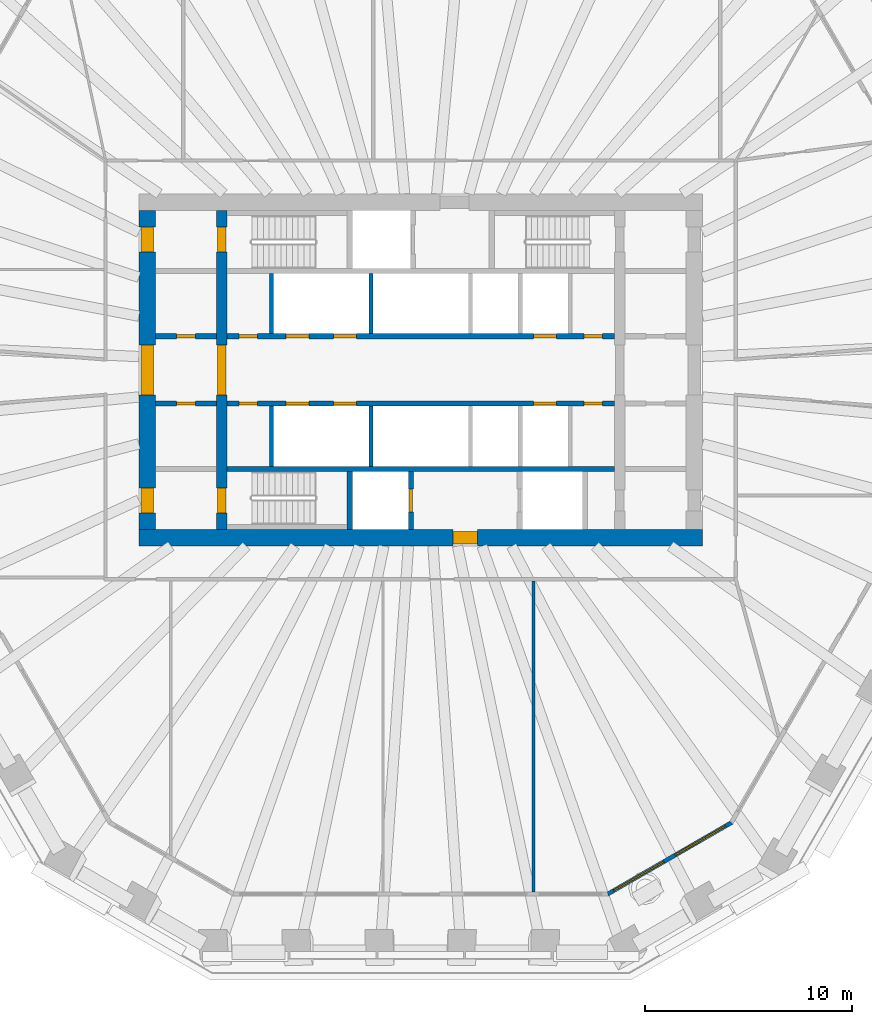
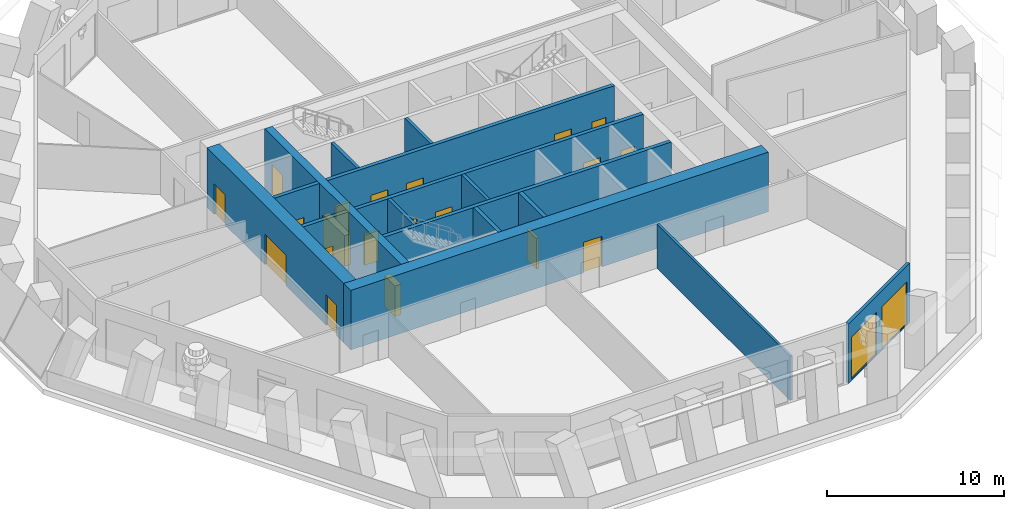
# One storey, part 4 of 12: 20 doors, 16 walls, 2 windows, 22 openings.
"""IFC4 building model written with IfcOpenShell, lengths in metres."""

from ifc_helpers import new_model, si_unit, direction, frame, frame_2d, origin, place, context, subcontext, project, spatial, polyline, rectangle, outline, extrude, material, layer, layer_set, type_object, element, fill, save


model = new_model("IFC4")

# Units and contexts
model_context = context("Model", 3, precision=1e-05, world=origin(), true_north=direction((0.0, 1.0)))
body_context = subcontext(model_context, "Body", "Model", "MODEL_VIEW")
ifc_project = project(units=[si_unit("LENGTHUNIT", "METRE"), si_unit("AREAUNIT", "SQUARE_METRE"), si_unit("VOLUMEUNIT", "CUBIC_METRE"), si_unit("PLANEANGLEUNIT", "RADIAN"), si_unit("MASSUNIT", "GRAM", prefix="KILO")], contexts=[model_context])

# Site, building, storey
site_placement = place(None, origin())
site = spatial("IfcSite", under=ifc_project, at=site_placement, CompositionType="ELEMENT")
building_placement = place(site_placement, origin())
building = spatial("IfcBuilding", under=site, at=building_placement, Name="Frailejon Research Tower", CompositionType="ELEMENT")
storey_placement = place(building_placement, frame((0.0, 0.0, 135.199951171875)))
storey = spatial("IfcBuildingStorey", under=building, at=storey_placement, Name="L29", CompositionType="ELEMENT", Elevation=135.199951171875)

# Wall, openings, doors
ifc_material_1 = material(Name="Concrete C60/75", Category="concrete")
ifc_layer_1 = layer(ifc_material_1, 0.5)
ifc_layer_set_1 = layer_set([ifc_layer_1], Name="Core shear wall 500 C60/75")
wall_type_1 = type_object("IfcWallType", Name="Core shear wall 500 C60/75", PredefinedType="SHEAR", material=ifc_layer_set_1)
wall_1_placement = place(storey_placement, frame((-9.60009765625, -7.699951171875, 0.0), z_axis=(0.0, 0.0, 1.0), x_axis=(0.0, 1.0, 0.0)))
wall_1 = element("IfcWall", 1, at=wall_1_placement, inside=storey, type_object=wall_type_1, Name="Core shear wall", PredefinedType="SHEAR", context=body_context, shape_type="SweptSolid", body=[
    extrude(rectangle(XDim=15.39990234375, YDim=0.5, at=frame_2d((7.699951171875, 0.0))), origin(), (0.0, 0.0, 1.0), 4.10009765625),
])
opening_1_placement = place(wall_1_placement, frame((6.5, 0.0, 0.0)))
opening_1 = element("IfcOpeningElement", 2, at=opening_1_placement, cuts=wall_1, Name="Opening D2", PredefinedType="OPENING", context=body_context, shape_type="SweptSolid", body=[
    extrude(rectangle(XDim=2.39990234375, YDim=2.10009765625, at=frame_2d((1.199951171875, 1.050048828125))), frame((0.0, 0.260009765625, 0.0), z_axis=(0.0, -1.0, 0.0), x_axis=(1.0, 0.0, 0.0)), (0.0, 0.0, 1.0), 0.52001953125),
])
opening_2_placement = place(wall_1_placement, frame((13.39990234375, 0.0, 0.0)))
opening_2 = element("IfcOpeningElement", 3, at=opening_2_placement, cuts=wall_1, Name="Opening D1", PredefinedType="OPENING", context=body_context, shape_type="SweptSolid", body=[
    extrude(rectangle(XDim=1.199951171875, YDim=2.10009765625, at=frame_2d((0.60009765625, 1.050048828125))), frame((0.0, 0.260009765625, 0.0), z_axis=(0.0, -1.0, 0.0), x_axis=(1.0, 0.0, 0.0)), (0.0, 0.0, 1.0), 0.52001953125),
])
opening_3_placement = place(wall_1_placement, frame((0.800048828125, 0.0, 0.0)))
opening_3 = element("IfcOpeningElement", 4, at=opening_3_placement, cuts=wall_1, Name="Opening D1", PredefinedType="OPENING", context=body_context, shape_type="SweptSolid", body=[
    extrude(rectangle(XDim=1.199951171875, YDim=2.10009765625, at=frame_2d((0.60009765625, 1.050048828125))), frame((0.0, 0.260009765625, 0.0), z_axis=(0.0, -1.0, 0.0), x_axis=(1.0, 0.0, 0.0)), (0.0, 0.0, 1.0), 0.52001953125),
])
ifc_material_2 = material(Name="Steel", Category="steel")
door_type_1 = type_object("IfcDoorType", Name="Lobby double door", OperationType="DOUBLE_DOOR_SINGLE_SWING", PredefinedType="DOOR", material=ifc_material_2)
door_1_placement = place(opening_1_placement, origin())
door_1 = element("IfcDoor", 5, at=door_1_placement, inside=storey, type_object=door_type_1, Name="Lobby door", OperationType="DOUBLE_DOOR_SINGLE_SWING", OverallHeight=2.10009765625, OverallWidth=2.39990234375, PredefinedType="DOOR", context=body_context, shape_type="SweptSolid", body=[
    extrude(rectangle(XDim=2.39990234375, YDim=2.10009765625, at=frame_2d((1.199951171875, 1.050048828125))), frame((0.0, 0.199951171875, 0.0), z_axis=(0.0, -1.0, 0.0), x_axis=(1.0, 0.0, 0.0)), (0.0, 0.0, 1.0), 0.39990234375),
])
fill(opening_1, door_1)
ifc_material_3 = material(Name="Steel", Category="steel")
door_type_2 = type_object("IfcDoorType", Name="Stair door", OperationType="SINGLE_SWING_LEFT", PredefinedType="DOOR", material=ifc_material_3)
door_2_placement = place(opening_2_placement, origin())
door_2 = element("IfcDoor", 6, at=door_2_placement, inside=storey, type_object=door_type_2, Name="Stair door ST1", OperationType="SINGLE_SWING_RIGHT", OverallHeight=2.10009765625, OverallWidth=1.199951171875, PredefinedType="DOOR", context=body_context, shape_type="SweptSolid", body=[
    extrude(rectangle(XDim=1.199951171875, YDim=2.10009765625, at=frame_2d((0.60009765625, 1.050048828125))), frame((0.0, 0.199951171875, 0.0), z_axis=(0.0, -1.0, 0.0), x_axis=(1.0, 0.0, 0.0)), (0.0, 0.0, 1.0), 0.39990234375),
])
fill(opening_2, door_2)
door_3_placement = place(opening_3_placement, origin())
door_3 = element("IfcDoor", 7, at=door_3_placement, inside=storey, type_object=door_type_2, Name="Stair door ST2", OperationType="SINGLE_SWING_RIGHT", OverallHeight=2.10009765625, OverallWidth=1.199951171875, PredefinedType="DOOR", context=body_context, shape_type="SweptSolid", body=[
    extrude(rectangle(XDim=1.199951171875, YDim=2.10009765625, at=frame_2d((0.60009765625, 1.050048828125))), frame((0.0, 0.199951171875, 0.0), z_axis=(0.0, -1.0, 0.0), x_axis=(1.0, 0.0, 0.0)), (0.0, 0.0, 1.0), 0.39990234375),
])
fill(opening_3, door_3)

# Wall, opening, door
ifc_material_4 = material(Name="Concrete C60/75", Category="concrete")
ifc_layer_2 = layer(ifc_material_4, 0.800048828125)
ifc_layer_set_2 = layer_set([ifc_layer_2], Name="Core shear wall 800 C60/75")
wall_type_2 = type_object("IfcWallType", Name="Core shear wall 800 C60/75", PredefinedType="SHEAR", material=ifc_layer_set_2)
wall_2_placement = place(storey_placement, frame((-13.60009765625, -8.10009765625, 0.0), z_axis=(0.0, 0.0, 1.0), x_axis=(1.0, 0.0, 0.0)))
wall_2 = element("IfcWall", 8, at=wall_2_placement, inside=storey, type_object=wall_type_2, Name="Core shear wall", PredefinedType="SHEAR", context=body_context, shape_type="SweptSolid", body=[
    extrude(rectangle(XDim=27.2001953125, YDim=0.800048828125, at=frame_2d((13.60009765625, 0.0))), origin(), (0.0, 0.0, 1.0), 4.10009765625),
])
opening_4_placement = place(wall_2_placement, frame((15.14990234375, 0.0, 0.0)))
opening_4 = element("IfcOpeningElement", 9, at=opening_4_placement, cuts=wall_2, Name="Opening D3", PredefinedType="OPENING", context=body_context, shape_type="SweptSolid", body=[
    extrude(rectangle(XDim=1.199951171875, YDim=2.10009765625, at=frame_2d((0.60009765625, 1.050048828125))), frame((0.0, 0.409912109375, 0.0), z_axis=(0.0, -1.0, 0.0), x_axis=(1.0, 0.0, 0.0)), (0.0, 0.0, 1.0), 0.820068359375),
])
ifc_material_5 = material(Name="Steel", Category="steel")
door_type_3 = type_object("IfcDoorType", Name="Firefighting lobby door", OperationType="SINGLE_SWING_LEFT", PredefinedType="DOOR", material=ifc_material_5)
door_4_placement = place(opening_4_placement, origin())
door_4 = element("IfcDoor", 10, at=door_4_placement, inside=storey, type_object=door_type_3, Name="Firefighting lobby door", OperationType="SINGLE_SWING_RIGHT", OverallHeight=2.10009765625, OverallWidth=1.199951171875, PredefinedType="DOOR", context=body_context, shape_type="SweptSolid", body=[
    extrude(rectangle(XDim=1.199951171875, YDim=2.10009765625, at=frame_2d((0.60009765625, 1.050048828125))), frame((0.0, 0.300048828125, 0.0), z_axis=(0.0, -1.0, 0.0), x_axis=(1.0, 0.0, 0.0)), (0.0, 0.0, 1.0), 0.60009765625),
])
fill(opening_4, door_4)

# Wall, openings, doors
wall_3_placement = place(storey_placement, frame((-13.199951171875, -7.699951171875, 0.0), z_axis=(0.0, 0.0, 1.0), x_axis=(0.0, 1.0, 0.0)))
wall_3 = element("IfcWall", 11, at=wall_3_placement, inside=storey, type_object=wall_type_2, Name="Core shear wall", PredefinedType="SHEAR", context=body_context, shape_type="SweptSolid", body=[
    extrude(rectangle(XDim=15.39990234375, YDim=0.800048828125, at=frame_2d((7.699951171875, 0.0))), origin(), (0.0, 0.0, 1.0), 4.10009765625),
])
opening_5_placement = place(wall_3_placement, frame((6.5, 0.0, 0.0)))
opening_5 = element("IfcOpeningElement", 12, at=opening_5_placement, cuts=wall_3, Name="Opening D2", PredefinedType="OPENING", context=body_context, shape_type="SweptSolid", body=[
    extrude(rectangle(XDim=2.39990234375, YDim=2.10009765625, at=frame_2d((1.199951171875, 1.050048828125))), frame((0.0, 0.409912109375, 0.0), z_axis=(0.0, -1.0, 0.0), x_axis=(1.0, 0.0, 0.0)), (0.0, 0.0, 1.0), 0.820068359375),
])
opening_6_placement = place(wall_3_placement, frame((13.39990234375, 0.0, 0.0)))
opening_6 = element("IfcOpeningElement", 13, at=opening_6_placement, cuts=wall_3, Name="Opening D7", PredefinedType="OPENING", context=body_context, shape_type="SweptSolid", body=[
    extrude(rectangle(XDim=1.199951171875, YDim=2.10009765625, at=frame_2d((0.60009765625, 1.050048828125))), frame((0.0, 0.409912109375, 0.0), z_axis=(0.0, -1.0, 0.0), x_axis=(1.0, 0.0, 0.0)), (0.0, 0.0, 1.0), 0.820068359375),
])
opening_7_placement = place(wall_3_placement, frame((0.800048828125, 0.0, 0.0)))
opening_7 = element("IfcOpeningElement", 14, at=opening_7_placement, cuts=wall_3, Name="Opening D7", PredefinedType="OPENING", context=body_context, shape_type="SweptSolid", body=[
    extrude(rectangle(XDim=1.199951171875, YDim=2.10009765625, at=frame_2d((0.60009765625, 1.050048828125))), frame((0.0, 0.409912109375, 0.0), z_axis=(0.0, -1.0, 0.0), x_axis=(1.0, 0.0, 0.0)), (0.0, 0.0, 1.0), 0.820068359375),
])
door_5_placement = place(opening_5_placement, origin())
door_5 = element("IfcDoor", 15, at=door_5_placement, inside=storey, type_object=door_type_1, Name="Lobby door", OperationType="DOUBLE_DOOR_SINGLE_SWING", OverallHeight=2.10009765625, OverallWidth=2.39990234375, PredefinedType="DOOR", context=body_context, shape_type="SweptSolid", body=[
    extrude(rectangle(XDim=2.39990234375, YDim=2.10009765625, at=frame_2d((1.199951171875, 1.050048828125))), frame((0.0, 0.300048828125, 0.0), z_axis=(0.0, -1.0, 0.0), x_axis=(1.0, 0.0, 0.0)), (0.0, 0.0, 1.0), 0.60009765625),
])
fill(opening_5, door_5)
ifc_material_6 = material(Name="Steel", Category="steel")
door_type_4 = type_object("IfcDoorType", Name="Stair exit door", OperationType="SINGLE_SWING_LEFT", PredefinedType="DOOR", material=ifc_material_6)
door_6_placement = place(opening_6_placement, origin())
door_6 = element("IfcDoor", 16, at=door_6_placement, inside=storey, type_object=door_type_4, Name="Stair exit door ST1", OperationType="SINGLE_SWING_LEFT", OverallHeight=2.10009765625, OverallWidth=1.199951171875, PredefinedType="DOOR", context=body_context, shape_type="SweptSolid", body=[
    extrude(rectangle(XDim=1.199951171875, YDim=2.10009765625, at=frame_2d((0.60009765625, 1.050048828125))), frame((0.0, 0.300048828125, 0.0), z_axis=(0.0, -1.0, 0.0), x_axis=(1.0, 0.0, 0.0)), (0.0, 0.0, 1.0), 0.60009765625),
])
fill(opening_6, door_6)
door_7_placement = place(opening_7_placement, origin())
door_7 = element("IfcDoor", 17, at=door_7_placement, inside=storey, type_object=door_type_4, Name="Stair exit door ST2", OperationType="SINGLE_SWING_LEFT", OverallHeight=2.10009765625, OverallWidth=1.199951171875, PredefinedType="DOOR", context=body_context, shape_type="SweptSolid", body=[
    extrude(rectangle(XDim=1.199951171875, YDim=2.10009765625, at=frame_2d((0.60009765625, 1.050048828125))), frame((0.0, 0.300048828125, 0.0), z_axis=(0.0, -1.0, 0.0), x_axis=(1.0, 0.0, 0.0)), (0.0, 0.0, 1.0), 0.60009765625),
])
fill(opening_7, door_7)

# Walls
ifc_material_7 = material(Name="Gypsum board and masonry partition", Category="masonry")
ifc_layer_3 = layer(ifc_material_7, 0.14990234375)
ifc_layer_set_3 = layer_set([ifc_layer_3], Name="Laboratory partition, blockwork 150")
wall_type_3 = type_object("IfcWallType", Name="Laboratory partition, blockwork 150", PredefinedType="PARTITIONING", material=ifc_layer_set_3)
wall_4_placement = place(storey_placement, frame((5.434814453125, -25.182861328125, 0.0), z_axis=(0.0, 0.0, 1.0), x_axis=(0.0, 1.0, 0.0)))
element("IfcWall", 18, at=wall_4_placement, inside=storey, type_object=wall_type_3, Name="T:IW:L29:016", PredefinedType="PARTITIONING", context=body_context, shape_type="SweptSolid", body=[
    extrude(rectangle(XDim=15.0078125, YDim=0.14990234375, at=frame_2d((7.50390625, 0.0))), origin(), (0.0, 0.0, 1.0), 3.050048828125),
])
ifc_material_8 = material(Name="Concrete C60/75", Category="concrete")
ifc_layer_4 = layer(ifc_material_8, 0.199951171875)
ifc_layer_set_4 = layer_set([ifc_layer_4], Name="Shaft wall 200 C60/75")
wall_type_4 = type_object("IfcWallType", Name="Shaft wall 200 C60/75", PredefinedType="SOLIDWALL", material=ifc_layer_set_4)
for number, where, z_axis, x_axis, name in (
    (19, (-7.199951171875, 1.75, 0.0), (0.0, 0.0, 1.0), (0.0, 1.0, 0.0), "Shaft wall"),
    (20, (-2.39990234375, 1.75, 0.0), (0.0, 0.0, 1.0), (0.0, 1.0, 0.0), "Shaft wall"),
    (21, (-7.199951171875, -4.64990234375, 0.0), (0.0, 0.0, 1.0), (0.0, 1.0, 0.0), "Shaft wall"),
    (22, (-2.39990234375, -4.64990234375, 0.0), (0.0, 0.0, 1.0), (0.0, 1.0, 0.0), "Shaft wall"),
):
    element("IfcWall", number, at=place(storey_placement, frame(where, z_axis=z_axis, x_axis=x_axis)), inside=storey, type_object=wall_type_4, Name=name, PredefinedType="SOLIDWALL", context=body_context, shape_type="SweptSolid", body=[
        extrude(rectangle(XDim=2.89990234375, YDim=0.199951171875, at=frame_2d((1.449951171875, 0.0))), origin(), (0.0, 0.0, 1.0), 4.10009765625),
    ])

# Wall, opening, door
ifc_material_9 = material(Name="Concrete C60/75", Category="concrete")
ifc_layer_5 = layer(ifc_material_9, 0.25)
ifc_layer_set_5 = layer_set([ifc_layer_5], Name="Shaft wall 250 C60/75")
wall_type_5 = type_object("IfcWallType", Name="Shaft wall 250 C60/75", PredefinedType="SOLIDWALL", material=ifc_layer_set_5)
wall_5_placement = place(storey_placement, frame((-12.800048828125, 1.625, 0.0), z_axis=(0.0, 0.0, 1.0), x_axis=(1.0, 0.0, 0.0)))
wall_5 = element("IfcWall", 23, at=wall_5_placement, inside=storey, type_object=wall_type_5, Name="Shaft wall", PredefinedType="SOLIDWALL", context=body_context, shape_type="SweptSolid", body=[
    extrude(rectangle(XDim=2.949951171875, YDim=0.25, at=frame_2d((1.47509765625, 0.0))), origin(), (0.0, 0.0, 1.0), 4.10009765625),
])
opening_8_placement = place(wall_5_placement, frame((1.02490234375, 0.0, 0.0)))
opening_8 = element("IfcOpeningElement", 24, at=opening_8_placement, cuts=wall_5, Name="Opening D8", PredefinedType="OPENING", context=body_context, shape_type="SweptSolid", body=[
    extrude(rectangle(XDim=0.89990234375, YDim=2.10009765625, at=frame_2d((0.449951171875, 1.050048828125))), frame((0.0, 0.135009765625, 0.0), z_axis=(0.0, -1.0, 0.0), x_axis=(1.0, 0.0, 0.0)), (0.0, 0.0, 1.0), 0.27001953125),
])
ifc_material_10 = material(Name="Steel", Category="steel")
door_type_5 = type_object("IfcDoorType", Name="Core room door", OperationType="SINGLE_SWING_LEFT", PredefinedType="DOOR", material=ifc_material_10)
door_8_placement = place(opening_8_placement, origin())
door_8 = element("IfcDoor", 25, at=door_8_placement, inside=storey, type_object=door_type_5, Name="Room door", OperationType="SINGLE_SWING_RIGHT", OverallHeight=2.10009765625, OverallWidth=0.89990234375, PredefinedType="DOOR", context=body_context, shape_type="SweptSolid", body=[
    extrude(rectangle(XDim=0.89990234375, YDim=2.10009765625, at=frame_2d((0.449951171875, 1.050048828125))), frame((0.0, 0.074951171875, 0.0), z_axis=(0.0, -1.0, 0.0), x_axis=(1.0, 0.0, 0.0)), (0.0, 0.0, 1.0), 0.14990234375),
])
fill(opening_8, door_8)

# Wall, openings, doors
wall_6_placement = place(storey_placement, frame((-9.35009765625, 1.625, 0.0), z_axis=(0.0, 0.0, 1.0), x_axis=(1.0, 0.0, 0.0)))
wall_6 = element("IfcWall", 26, at=wall_6_placement, inside=storey, type_object=wall_type_5, Name="Shaft wall", PredefinedType="SOLIDWALL", context=body_context, shape_type="SweptSolid", body=[
    extrude(rectangle(XDim=18.7001953125, YDim=0.25, at=frame_2d((9.35009765625, 0.0))), origin(), (0.0, 0.0, 1.0), 4.10009765625),
])
opening_9_placement = place(wall_6_placement, frame((2.85009765625, 0.0, 0.0)))
opening_9 = element("IfcOpeningElement", 27, at=opening_9_placement, cuts=wall_6, Name="Opening LD", PredefinedType="OPENING", context=body_context, shape_type="SweptSolid", body=[
    extrude(rectangle(XDim=1.10009765625, YDim=2.10009765625, at=frame_2d((0.550048828125, 1.050048828125))), frame((0.0, 0.135009765625, 0.0), z_axis=(0.0, -1.0, 0.0), x_axis=(1.0, 0.0, 0.0)), (0.0, 0.0, 1.0), 0.27001953125),
])
opening_10_placement = place(wall_6_placement, frame((5.14990234375, 0.0, 0.0)))
opening_10 = element("IfcOpeningElement", 28, at=opening_10_placement, cuts=wall_6, Name="Opening LD", PredefinedType="OPENING", context=body_context, shape_type="SweptSolid", body=[
    extrude(rectangle(XDim=1.10009765625, YDim=2.10009765625, at=frame_2d((0.550048828125, 1.050048828125))), frame((0.0, 0.135009765625, 0.0), z_axis=(0.0, -1.0, 0.0), x_axis=(1.0, 0.0, 0.0)), (0.0, 0.0, 1.0), 0.27001953125),
])
opening_11_placement = place(wall_6_placement, frame((14.800048828125, 0.0, 0.0)))
opening_11 = element("IfcOpeningElement", 29, at=opening_11_placement, cuts=wall_6, Name="Opening LD", PredefinedType="OPENING", context=body_context, shape_type="SweptSolid", body=[
    extrude(rectangle(XDim=1.10009765625, YDim=2.10009765625, at=frame_2d((0.550048828125, 1.050048828125))), frame((0.0, 0.135009765625, 0.0), z_axis=(0.0, -1.0, 0.0), x_axis=(1.0, 0.0, 0.0)), (0.0, 0.0, 1.0), 0.27001953125),
])
opening_12_placement = place(wall_6_placement, frame((0.574951171875, 0.0, 0.0)))
opening_12 = element("IfcOpeningElement", 30, at=opening_12_placement, cuts=wall_6, Name="Opening D8", PredefinedType="OPENING", context=body_context, shape_type="SweptSolid", body=[
    extrude(rectangle(XDim=0.89990234375, YDim=2.10009765625, at=frame_2d((0.449951171875, 1.050048828125))), frame((0.0, 0.135009765625, 0.0), z_axis=(0.0, -1.0, 0.0), x_axis=(1.0, 0.0, 0.0)), (0.0, 0.0, 1.0), 0.27001953125),
])
opening_13_placement = place(wall_6_placement, frame((17.22509765625, 0.0, 0.0)))
opening_13 = element("IfcOpeningElement", 31, at=opening_13_placement, cuts=wall_6, Name="Opening D8", PredefinedType="OPENING", context=body_context, shape_type="SweptSolid", body=[
    extrude(rectangle(XDim=0.89990234375, YDim=2.10009765625, at=frame_2d((0.449951171875, 1.050048828125))), frame((0.0, 0.135009765625, 0.0), z_axis=(0.0, -1.0, 0.0), x_axis=(1.0, 0.0, 0.0)), (0.0, 0.0, 1.0), 0.27001953125),
])
door_9_placement = place(opening_12_placement, origin())
door_9 = element("IfcDoor", 32, at=door_9_placement, inside=storey, type_object=door_type_5, Name="Room door", OperationType="SINGLE_SWING_LEFT", OverallHeight=2.10009765625, OverallWidth=0.89990234375, PredefinedType="DOOR", context=body_context, shape_type="SweptSolid", body=[
    extrude(rectangle(XDim=0.89990234375, YDim=2.10009765625, at=frame_2d((0.449951171875, 1.050048828125))), frame((0.0, 0.074951171875, 0.0), z_axis=(0.0, -1.0, 0.0), x_axis=(1.0, 0.0, 0.0)), (0.0, 0.0, 1.0), 0.14990234375),
])
fill(opening_12, door_9)
door_10_placement = place(opening_13_placement, origin())
door_10 = element("IfcDoor", 33, at=door_10_placement, inside=storey, type_object=door_type_5, Name="Room door", OperationType="SINGLE_SWING_RIGHT", OverallHeight=2.10009765625, OverallWidth=0.89990234375, PredefinedType="DOOR", context=body_context, shape_type="SweptSolid", body=[
    extrude(rectangle(XDim=0.89990234375, YDim=2.10009765625, at=frame_2d((0.449951171875, 1.050048828125))), frame((0.0, 0.074951171875, 0.0), z_axis=(0.0, -1.0, 0.0), x_axis=(1.0, 0.0, 0.0)), (0.0, 0.0, 1.0), 0.14990234375),
])
fill(opening_13, door_10)
ifc_material_11 = material(Name="Steel", Category="steel")
door_type_6 = type_object("IfcDoorType", Name="Lift landing door", OperationType="DOUBLE_DOOR_SLIDING", PredefinedType="DOOR", material=ifc_material_11)
door_11_placement = place(opening_9_placement, origin())
door_11 = element("IfcDoor", 34, at=door_11_placement, inside=storey, type_object=door_type_6, Name="Lift landing door", OperationType="DOUBLE_DOOR_SLIDING", OverallHeight=2.10009765625, OverallWidth=1.10009765625, PredefinedType="DOOR", context=body_context, shape_type="SweptSolid", body=[
    extrude(rectangle(XDim=1.10009765625, YDim=2.10009765625, at=frame_2d((0.550048828125, 1.050048828125))), frame((0.0, 0.074951171875, 0.0), z_axis=(0.0, -1.0, 0.0), x_axis=(1.0, 0.0, 0.0)), (0.0, 0.0, 1.0), 0.14990234375),
])
fill(opening_9, door_11)
door_12_placement = place(opening_10_placement, origin())
door_12 = element("IfcDoor", 35, at=door_12_placement, inside=storey, type_object=door_type_6, Name="Lift landing door", OperationType="DOUBLE_DOOR_SLIDING", OverallHeight=2.10009765625, OverallWidth=1.10009765625, PredefinedType="DOOR", context=body_context, shape_type="SweptSolid", body=[
    extrude(rectangle(XDim=1.10009765625, YDim=2.10009765625, at=frame_2d((0.550048828125, 1.050048828125))), frame((0.0, 0.074951171875, 0.0), z_axis=(0.0, -1.0, 0.0), x_axis=(1.0, 0.0, 0.0)), (0.0, 0.0, 1.0), 0.14990234375),
])
fill(opening_10, door_12)
door_13_placement = place(opening_11_placement, origin())
door_13 = element("IfcDoor", 36, at=door_13_placement, inside=storey, type_object=door_type_6, Name="Lift landing door", OperationType="DOUBLE_DOOR_SLIDING", OverallHeight=2.10009765625, OverallWidth=1.10009765625, PredefinedType="DOOR", context=body_context, shape_type="SweptSolid", body=[
    extrude(rectangle(XDim=1.10009765625, YDim=2.10009765625, at=frame_2d((0.550048828125, 1.050048828125))), frame((0.0, 0.074951171875, 0.0), z_axis=(0.0, -1.0, 0.0), x_axis=(1.0, 0.0, 0.0)), (0.0, 0.0, 1.0), 0.14990234375),
])
fill(opening_11, door_13)

# Wall, opening, door
wall_7_placement = place(storey_placement, frame((-12.800048828125, -1.625, 0.0), z_axis=(0.0, 0.0, 1.0), x_axis=(1.0, 0.0, 0.0)))
wall_7 = element("IfcWall", 37, at=wall_7_placement, inside=storey, type_object=wall_type_5, Name="Shaft wall", PredefinedType="SOLIDWALL", context=body_context, shape_type="SweptSolid", body=[
    extrude(rectangle(XDim=2.949951171875, YDim=0.25, at=frame_2d((1.47509765625, 0.0))), origin(), (0.0, 0.0, 1.0), 4.10009765625),
])
opening_14_placement = place(wall_7_placement, frame((1.02490234375, 0.0, 0.0)))
opening_14 = element("IfcOpeningElement", 38, at=opening_14_placement, cuts=wall_7, Name="Opening D8", PredefinedType="OPENING", context=body_context, shape_type="SweptSolid", body=[
    extrude(rectangle(XDim=0.89990234375, YDim=2.10009765625, at=frame_2d((0.449951171875, 1.050048828125))), frame((0.0, 0.135009765625, 0.0), z_axis=(0.0, -1.0, 0.0), x_axis=(1.0, 0.0, 0.0)), (0.0, 0.0, 1.0), 0.27001953125),
])
door_14_placement = place(opening_14_placement, origin())
door_14 = element("IfcDoor", 39, at=door_14_placement, inside=storey, type_object=door_type_5, Name="Room door", OperationType="SINGLE_SWING_RIGHT", OverallHeight=2.10009765625, OverallWidth=0.89990234375, PredefinedType="DOOR", context=body_context, shape_type="SweptSolid", body=[
    extrude(rectangle(XDim=0.89990234375, YDim=2.10009765625, at=frame_2d((0.449951171875, 1.050048828125))), frame((0.0, 0.074951171875, 0.0), z_axis=(0.0, -1.0, 0.0), x_axis=(1.0, 0.0, 0.0)), (0.0, 0.0, 1.0), 0.14990234375),
])
fill(opening_14, door_14)

# Wall, openings, doors
wall_8_placement = place(storey_placement, frame((-9.35009765625, -1.625, 0.0), z_axis=(0.0, 0.0, 1.0), x_axis=(1.0, 0.0, 0.0)))
wall_8 = element("IfcWall", 40, at=wall_8_placement, inside=storey, type_object=wall_type_5, Name="Shaft wall", PredefinedType="SOLIDWALL", context=body_context, shape_type="SweptSolid", body=[
    extrude(rectangle(XDim=18.7001953125, YDim=0.25, at=frame_2d((9.35009765625, 0.0))), origin(), (0.0, 0.0, 1.0), 4.10009765625),
])
opening_15_placement = place(wall_8_placement, frame((2.85009765625, 0.0, 0.0)))
opening_15 = element("IfcOpeningElement", 41, at=opening_15_placement, cuts=wall_8, Name="Opening LD", PredefinedType="OPENING", context=body_context, shape_type="SweptSolid", body=[
    extrude(rectangle(XDim=1.10009765625, YDim=2.10009765625, at=frame_2d((0.550048828125, 1.050048828125))), frame((0.0, 0.135009765625, 0.0), z_axis=(0.0, -1.0, 0.0), x_axis=(1.0, 0.0, 0.0)), (0.0, 0.0, 1.0), 0.27001953125),
])
opening_16_placement = place(wall_8_placement, frame((5.14990234375, 0.0, 0.0)))
opening_16 = element("IfcOpeningElement", 42, at=opening_16_placement, cuts=wall_8, Name="Opening LD", PredefinedType="OPENING", context=body_context, shape_type="SweptSolid", body=[
    extrude(rectangle(XDim=1.10009765625, YDim=2.10009765625, at=frame_2d((0.550048828125, 1.050048828125))), frame((0.0, 0.135009765625, 0.0), z_axis=(0.0, -1.0, 0.0), x_axis=(1.0, 0.0, 0.0)), (0.0, 0.0, 1.0), 0.27001953125),
])
opening_17_placement = place(wall_8_placement, frame((14.800048828125, 0.0, 0.0)))
opening_17 = element("IfcOpeningElement", 43, at=opening_17_placement, cuts=wall_8, Name="Opening LD", PredefinedType="OPENING", context=body_context, shape_type="SweptSolid", body=[
    extrude(rectangle(XDim=1.10009765625, YDim=2.10009765625, at=frame_2d((0.550048828125, 1.050048828125))), frame((0.0, 0.135009765625, 0.0), z_axis=(0.0, -1.0, 0.0), x_axis=(1.0, 0.0, 0.0)), (0.0, 0.0, 1.0), 0.27001953125),
])
opening_18_placement = place(wall_8_placement, frame((0.574951171875, 0.0, 0.0)))
opening_18 = element("IfcOpeningElement", 44, at=opening_18_placement, cuts=wall_8, Name="Opening D8", PredefinedType="OPENING", context=body_context, shape_type="SweptSolid", body=[
    extrude(rectangle(XDim=0.89990234375, YDim=2.10009765625, at=frame_2d((0.449951171875, 1.050048828125))), frame((0.0, 0.135009765625, 0.0), z_axis=(0.0, -1.0, 0.0), x_axis=(1.0, 0.0, 0.0)), (0.0, 0.0, 1.0), 0.27001953125),
])
opening_19_placement = place(wall_8_placement, frame((17.22509765625, 0.0, 0.0)))
opening_19 = element("IfcOpeningElement", 45, at=opening_19_placement, cuts=wall_8, Name="Opening D8", PredefinedType="OPENING", context=body_context, shape_type="SweptSolid", body=[
    extrude(rectangle(XDim=0.89990234375, YDim=2.10009765625, at=frame_2d((0.449951171875, 1.050048828125))), frame((0.0, 0.135009765625, 0.0), z_axis=(0.0, -1.0, 0.0), x_axis=(1.0, 0.0, 0.0)), (0.0, 0.0, 1.0), 0.27001953125),
])
door_15_placement = place(opening_18_placement, origin())
door_15 = element("IfcDoor", 46, at=door_15_placement, inside=storey, type_object=door_type_5, Name="Room door", OperationType="SINGLE_SWING_LEFT", OverallHeight=2.10009765625, OverallWidth=0.89990234375, PredefinedType="DOOR", context=body_context, shape_type="SweptSolid", body=[
    extrude(rectangle(XDim=0.89990234375, YDim=2.10009765625, at=frame_2d((0.449951171875, 1.050048828125))), frame((0.0, 0.074951171875, 0.0), z_axis=(0.0, -1.0, 0.0), x_axis=(1.0, 0.0, 0.0)), (0.0, 0.0, 1.0), 0.14990234375),
])
fill(opening_18, door_15)
door_16_placement = place(opening_19_placement, origin())
door_16 = element("IfcDoor", 47, at=door_16_placement, inside=storey, type_object=door_type_5, Name="Room door", OperationType="SINGLE_SWING_RIGHT", OverallHeight=2.10009765625, OverallWidth=0.89990234375, PredefinedType="DOOR", context=body_context, shape_type="SweptSolid", body=[
    extrude(rectangle(XDim=0.89990234375, YDim=2.10009765625, at=frame_2d((0.449951171875, 1.050048828125))), frame((0.0, 0.074951171875, 0.0), z_axis=(0.0, -1.0, 0.0), x_axis=(1.0, 0.0, 0.0)), (0.0, 0.0, 1.0), 0.14990234375),
])
fill(opening_19, door_16)
door_17_placement = place(opening_15_placement, origin())
door_17 = element("IfcDoor", 48, at=door_17_placement, inside=storey, type_object=door_type_6, Name="Lift landing door", OperationType="DOUBLE_DOOR_SLIDING", OverallHeight=2.10009765625, OverallWidth=1.10009765625, PredefinedType="DOOR", context=body_context, shape_type="SweptSolid", body=[
    extrude(rectangle(XDim=1.10009765625, YDim=2.10009765625, at=frame_2d((0.550048828125, 1.050048828125))), frame((0.0, 0.074951171875, 0.0), z_axis=(0.0, -1.0, 0.0), x_axis=(1.0, 0.0, 0.0)), (0.0, 0.0, 1.0), 0.14990234375),
])
fill(opening_15, door_17)
door_18_placement = place(opening_16_placement, origin())
door_18 = element("IfcDoor", 49, at=door_18_placement, inside=storey, type_object=door_type_6, Name="Lift landing door", OperationType="DOUBLE_DOOR_SLIDING", OverallHeight=2.10009765625, OverallWidth=1.10009765625, PredefinedType="DOOR", context=body_context, shape_type="SweptSolid", body=[
    extrude(rectangle(XDim=1.10009765625, YDim=2.10009765625, at=frame_2d((0.550048828125, 1.050048828125))), frame((0.0, 0.074951171875, 0.0), z_axis=(0.0, -1.0, 0.0), x_axis=(1.0, 0.0, 0.0)), (0.0, 0.0, 1.0), 0.14990234375),
])
fill(opening_16, door_18)
door_19_placement = place(opening_17_placement, origin())
door_19 = element("IfcDoor", 50, at=door_19_placement, inside=storey, type_object=door_type_6, Name="Lift landing door", OperationType="DOUBLE_DOOR_SLIDING", OverallHeight=2.10009765625, OverallWidth=1.10009765625, PredefinedType="DOOR", context=body_context, shape_type="SweptSolid", body=[
    extrude(rectangle(XDim=1.10009765625, YDim=2.10009765625, at=frame_2d((0.550048828125, 1.050048828125))), frame((0.0, 0.074951171875, 0.0), z_axis=(0.0, -1.0, 0.0), x_axis=(1.0, 0.0, 0.0)), (0.0, 0.0, 1.0), 0.14990234375),
])
fill(opening_17, door_19)

# Walls
wall_9_placement = place(storey_placement, frame((-9.35009765625, -4.77490234375, 0.0), z_axis=(0.0, 0.0, 1.0), x_axis=(1.0, 0.0, 0.0)))
element("IfcWall", 51, at=wall_9_placement, inside=storey, type_object=wall_type_5, Name="Shaft wall", PredefinedType="SOLIDWALL", context=body_context, shape_type="SweptSolid", body=[
    extrude(rectangle(XDim=18.7001953125, YDim=0.25, at=frame_2d((9.35009765625, 0.0))), origin(), (0.0, 0.0, 1.0), 4.10009765625),
])
wall_10_placement = place(storey_placement, frame((-3.425048828125, -7.699951171875, 0.0), z_axis=(0.0, 0.0, 1.0), x_axis=(0.0, 1.0, 0.0)))
element("IfcWall", 52, at=wall_10_placement, inside=storey, type_object=wall_type_5, Name="Shaft wall", PredefinedType="SOLIDWALL", context=body_context, shape_type="SweptSolid", body=[
    extrude(rectangle(XDim=2.800048828125, YDim=0.25, at=frame_2d((1.39990234375, 0.0))), origin(), (0.0, 0.0, 1.0), 4.10009765625),
])

# Wall, opening, door
wall_11_placement = place(storey_placement, frame((-0.47509765625, -7.699951171875, 0.0), z_axis=(0.0, 0.0, 1.0), x_axis=(0.0, 1.0, 0.0)))
wall_11 = element("IfcWall", 53, at=wall_11_placement, inside=storey, type_object=wall_type_5, Name="Shaft wall", PredefinedType="SOLIDWALL", context=body_context, shape_type="SweptSolid", body=[
    extrude(rectangle(XDim=2.800048828125, YDim=0.25, at=frame_2d((1.39990234375, 0.0))), origin(), (0.0, 0.0, 1.0), 4.10009765625),
])
opening_20_placement = place(wall_11_placement, frame((0.85009765625, 0.0, 0.0)))
opening_20 = element("IfcOpeningElement", 54, at=opening_20_placement, cuts=wall_11, Name="Opening LD", PredefinedType="OPENING", context=body_context, shape_type="SweptSolid", body=[
    extrude(rectangle(XDim=1.10009765625, YDim=2.10009765625, at=frame_2d((0.550048828125, 1.050048828125))), frame((0.0, 0.135009765625, 0.0), z_axis=(0.0, -1.0, 0.0), x_axis=(1.0, 0.0, 0.0)), (0.0, 0.0, 1.0), 0.27001953125),
])
door_20_placement = place(opening_20_placement, origin())
door_20 = element("IfcDoor", 55, at=door_20_placement, inside=storey, type_object=door_type_6, Name="Lift landing door", OperationType="DOUBLE_DOOR_SLIDING", OverallHeight=2.10009765625, OverallWidth=1.10009765625, PredefinedType="DOOR", context=body_context, shape_type="SweptSolid", body=[
    extrude(rectangle(XDim=1.10009765625, YDim=2.10009765625, at=frame_2d((0.550048828125, 1.050048828125))), frame((0.0, 0.074951171875, 0.0), z_axis=(0.0, -1.0, 0.0), x_axis=(1.0, 0.0, 0.0)), (0.0, 0.0, 1.0), 0.14990234375),
])
fill(opening_20, door_20)

# Wall, openings, windows
ifc_material_12 = material(Name="Concrete C40/50 precast window wall panel", Category="concrete")
ifc_layer_6 = layer(ifc_material_12, 0.199951171875)
ifc_layer_set_6 = layer_set([ifc_layer_6], Name="Window wall 200")
wall_type_6 = type_object("IfcWallType", Name="Window wall 200", PredefinedType="SOLIDWALL", material=ifc_layer_set_6)
wall_12_placement = place(storey_placement, frame((9.03125, -25.28271484375, 0.0), z_axis=(0.0, 0.0, 1.0), x_axis=(0.866029458321, 0.49999297727, 0.0)))
wall_12 = element("IfcWall", 56, at=wall_12_placement, inside=storey, type_object=wall_type_6, Name="Exterior wall L29", PredefinedType="SOLIDWALL", context=body_context, shape_type="SweptSolid", body=[
    extrude(outline(polyline([(-0.02685546875, -0.10009765625), (1.1279296875, -0.10009765625), (2.282470703125, -0.10009765625), (3.437255859375, -0.10009765625), (4.592041015625, -0.10009765625), (5.74658203125, -0.10009765625), (6.9013671875, -0.10009765625), (6.84765625, 0.10009765625), (5.7109375, 0.10009765625), (4.573974609375, 0.10009765625), (3.437255859375, 0.10009765625), (2.300537109375, 0.10009765625), (1.16357421875, 0.10009765625), (0.02685546875, 0.10009765625), (-0.02685546875, -0.10009765625)])), origin(), (0.0, 0.0, 1.0), 4.10009765625),
])
opening_21_placement = place(wall_12_placement, frame((0.318603515625, 0.0, 0.10009765625)))
opening_21 = element("IfcOpeningElement", 57, at=opening_21_placement, cuts=wall_12, Name="Opening W3", PredefinedType="OPENING", context=body_context, shape_type="SweptSolid", body=[
    extrude(rectangle(XDim=2.800048828125, YDim=2.89990234375, at=frame_2d((1.39990234375, 1.449951171875))), frame((0.0, 0.10986328125, 0.0), z_axis=(0.0, -1.0, 0.0), x_axis=(1.0, 0.0, 0.0)), (0.0, 0.0, 1.0), 0.219970703125),
])
opening_22_placement = place(wall_12_placement, frame((3.756103515625, 0.0, 0.10009765625)))
opening_22 = element("IfcOpeningElement", 58, at=opening_22_placement, cuts=wall_12, Name="Opening W3", PredefinedType="OPENING", context=body_context, shape_type="SweptSolid", body=[
    extrude(rectangle(XDim=2.800048828125, YDim=2.89990234375, at=frame_2d((1.39990234375, 1.449951171875))), frame((0.0, 0.10986328125, 0.0), z_axis=(0.0, -1.0, 0.0), x_axis=(1.0, 0.0, 0.0)), (0.0, 0.0, 1.0), 0.219970703125),
])
ifc_material_13 = material(Name="Aluminium framed double glazing", Category="aluminium")
window_type = type_object("IfcWindowType", Name="Window 2800x2900", PartitioningType="SINGLE_PANEL", PredefinedType="WINDOW", material=ifc_material_13)
window_1_placement = place(opening_21_placement, origin())
window_1 = element("IfcWindow", 59, at=window_1_placement, inside=storey, type_object=window_type, Name="Window L29", OverallHeight=2.89990234375, OverallWidth=2.800048828125, PartitioningType="SINGLE_PANEL", PredefinedType="WINDOW", context=body_context, shape_type="SweptSolid", body=[
    extrude(rectangle(XDim=2.800048828125, YDim=2.89990234375, at=frame_2d((1.39990234375, 1.449951171875))), frame((0.0, 0.030029296875, 0.0), z_axis=(0.0, -1.0, 0.0), x_axis=(1.0, 0.0, 0.0)), (0.0, 0.0, 1.0), 0.06005859375),
])
fill(opening_21, window_1)
window_2_placement = place(opening_22_placement, origin())
window_2 = element("IfcWindow", 60, at=window_2_placement, inside=storey, type_object=window_type, Name="Window L29", OverallHeight=2.89990234375, OverallWidth=2.800048828125, PartitioningType="SINGLE_PANEL", PredefinedType="WINDOW", context=body_context, shape_type="SweptSolid", body=[
    extrude(rectangle(XDim=2.800048828125, YDim=2.89990234375, at=frame_2d((1.39990234375, 1.449951171875))), frame((0.0, 0.030029296875, 0.0), z_axis=(0.0, -1.0, 0.0), x_axis=(1.0, 0.0, 0.0)), (0.0, 0.0, 1.0), 0.06005859375),
])
fill(opening_22, window_2)

save(model, "model.ifc")
